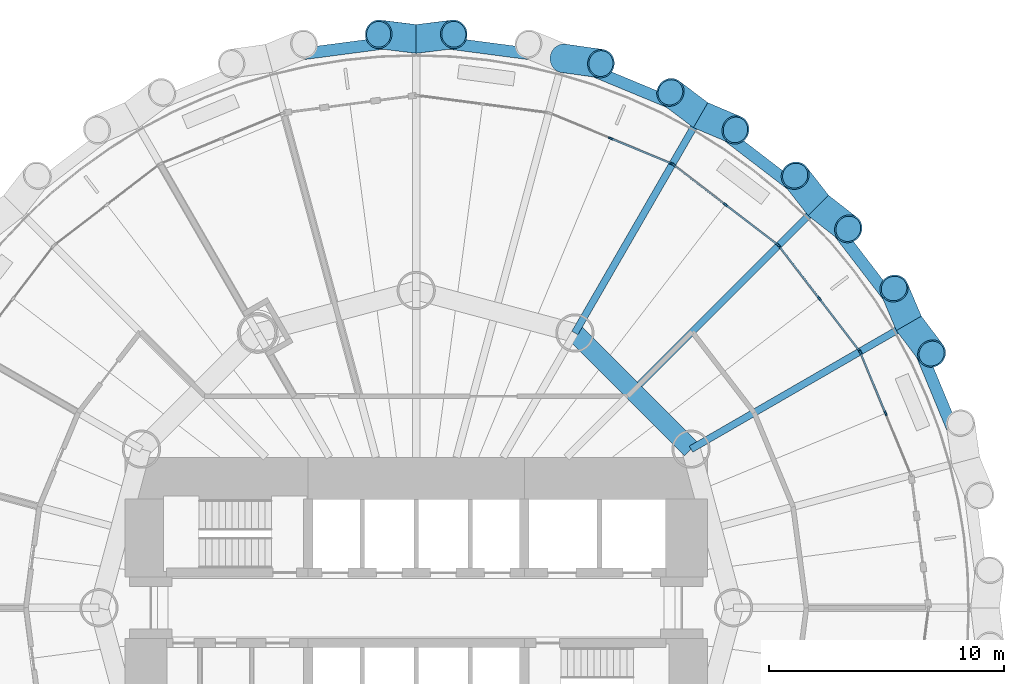
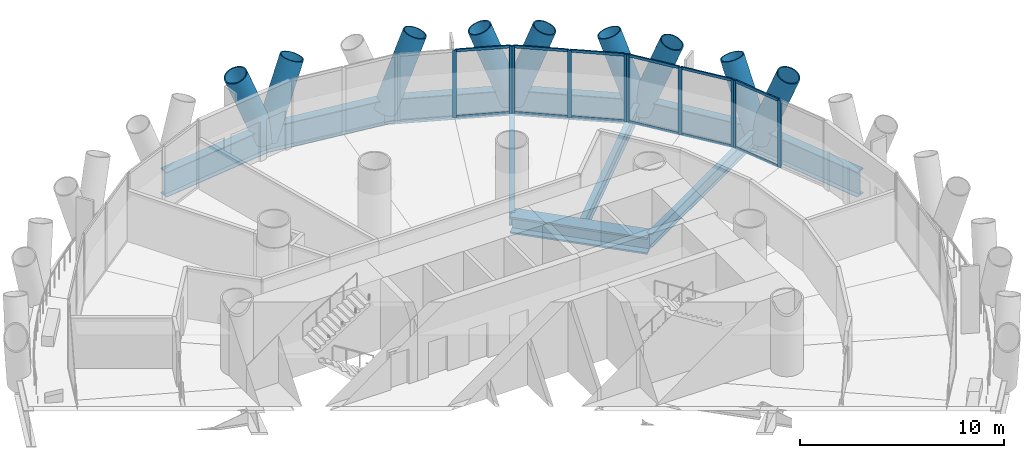
# One storey, part 7 of 16: 31 members, 10 beams, 4 elements without a shape of their own.
"""IFC4 building model written with IfcOpenShell, lengths in metres."""

from ifc_helpers import new_model, si_unit, direction, frame, origin, origin_2d, place, context, subcontext, project, spatial, rectangle, hollow_circle, i_section, extrude, material, material_profile, profile_set, type_object, element, aggregate, save


model = new_model("IFC4")

# Units and contexts
model_context = context("Model", 3, precision=1e-05, world=origin(), true_north=direction((0.0, 1.0)))
body_context = subcontext(model_context, "Body", "Model", "MODEL_VIEW")
ifc_project = project(units=[si_unit("LENGTHUNIT", "METRE"), si_unit("AREAUNIT", "SQUARE_METRE"), si_unit("VOLUMEUNIT", "CUBIC_METRE"), si_unit("PLANEANGLEUNIT", "RADIAN"), si_unit("MASSUNIT", "GRAM", prefix="KILO")], contexts=[model_context])

# Site, building, storey
site_placement = place(None, origin())
site = spatial("IfcSite", under=ifc_project, at=site_placement, CompositionType="ELEMENT")
building_placement = place(site_placement, origin())
building = spatial("IfcBuilding", under=site, at=building_placement, Name="Qaws Media Tower", CompositionType="ELEMENT")
storey_placement = place(building_placement, frame((0.0, 0.0, 42.800048828125)))
storey = spatial("IfcBuildingStorey", under=building, at=storey_placement, Name="L08", CompositionType="ELEMENT", Elevation=42.800048828125)

# Curtain wall, members
ifc_material_1 = material(Name="Aluminium and clear glass", Category="aluminium")
curtain_wall_type = type_object("IfcCurtainWallType", Name="Unitised curtain wall CW-A", PredefinedType="NOTDEFINED", material=ifc_material_1)
curtain_wall_1_placement = place(storey_placement, origin())
curtain_wall_1 = element("IfcCurtainWall", 1, at=curtain_wall_1_placement, inside=storey, type_object=curtain_wall_type, Name="CWA curtain wall L08-02", PredefinedType="NOTDEFINED")
ifc_material_2 = material(Name="Aluminium mullion", Category="aluminium")
ifc_material_profile_1 = material_profile(ifc_material_2, rectangle(XDim=0.080078125, YDim=0.199951171875, at=origin_2d()), Name="80x200")
ifc_profile_set_1 = profile_set([ifc_material_profile_1], Name="Aluminium mullion")
member_type_1 = type_object("IfcMemberType", Name="Curtain wall mullion 80x200", PredefinedType="MULLION", material=ifc_profile_set_1)
member_1_placement = place(storey_placement, frame((79.96826171875, 58.271240234375, 0.0), z_axis=(0.0, 0.0, 1.0), x_axis=(-0.923879550311, -0.382683389393, 0.0)))
member_1 = element("IfcMember", 2, at=member_1_placement, type_object=member_type_1, Name="CWA mullion 2", PredefinedType="MULLION", context=body_context, shape_type="SweptSolid", body=[
    extrude(rectangle(XDim=0.080078125, YDim=0.199951171875, at=origin_2d()), origin(), (0.0, 0.0, 1.0), 4.0400390625),
])
member_2_placement = place(storey_placement, frame((78.894775390625, 60.863037109375, 0.0), z_axis=(0.0, 0.0, 1.0), x_axis=(-0.923879550311, -0.382683389393, 0.0)))
member_2 = element("IfcMember", 3, at=member_2_placement, type_object=member_type_1, Name="CWA mullion 3", PredefinedType="MULLION", context=body_context, shape_type="SweptSolid", body=[
    extrude(rectangle(XDim=0.080078125, YDim=0.199951171875, at=origin_2d()), origin(), (0.0, 0.0, 1.0), 4.0400390625),
])

curtain_wall_2_placement = place(storey_placement, origin())
curtain_wall_2 = element("IfcCurtainWall", 4, at=curtain_wall_2_placement, inside=storey, type_object=curtain_wall_type, Name="CWA curtain wall L08-03", PredefinedType="NOTDEFINED")
member_3_placement = place(storey_placement, frame((78.85498046875, 60.931640625, 0.0), z_axis=(0.0, 0.0, 1.0), x_axis=(-0.793353349046, -0.608761417599, 0.0)))
member_3 = element("IfcMember", 5, at=member_3_placement, type_object=member_type_1, Name="CWA mullion 1", PredefinedType="MULLION", context=body_context, shape_type="SweptSolid", body=[
    extrude(rectangle(XDim=0.080078125, YDim=0.199951171875, at=origin_2d()), origin(), (0.0, 0.0, 1.0), 4.0400390625),
])
member_4_placement = place(storey_placement, frame((77.147216796875, 63.157470703125, 0.0), z_axis=(0.0, 0.0, 1.0), x_axis=(-0.793353349046, -0.608761417599, 0.0)))
member_4 = element("IfcMember", 6, at=member_4_placement, type_object=member_type_1, Name="CWA mullion 2", PredefinedType="MULLION", context=body_context, shape_type="SweptSolid", body=[
    extrude(rectangle(XDim=0.080078125, YDim=0.199951171875, at=origin_2d()), origin(), (0.0, 0.0, 1.0), 4.0400390625),
])
member_5_placement = place(storey_placement, frame((75.439208984375, 65.38330078125, 0.0), z_axis=(0.0, 0.0, 1.0), x_axis=(-0.793353349046, -0.608761417599, 0.0)))
member_5 = element("IfcMember", 7, at=member_5_placement, type_object=member_type_1, Name="CWA mullion 3", PredefinedType="MULLION", context=body_context, shape_type="SweptSolid", body=[
    extrude(rectangle(XDim=0.080078125, YDim=0.199951171875, at=origin_2d()), origin(), (0.0, 0.0, 1.0), 4.0400390625),
])

curtain_wall_3_placement = place(storey_placement, origin())
curtain_wall_3 = element("IfcCurtainWall", 8, at=curtain_wall_3_placement, inside=storey, type_object=curtain_wall_type, Name="CWA curtain wall L08-04", PredefinedType="NOTDEFINED")
member_6_placement = place(storey_placement, frame((75.38330078125, 65.439208984375, 0.0), z_axis=(0.0, 0.0, 1.0), x_axis=(-0.608761417599, -0.793353349046, 0.0)))
member_6 = element("IfcMember", 9, at=member_6_placement, type_object=member_type_1, Name="CWA mullion 1", PredefinedType="MULLION", context=body_context, shape_type="SweptSolid", body=[
    extrude(rectangle(XDim=0.080078125, YDim=0.199951171875, at=origin_2d()), origin(), (0.0, 0.0, 1.0), 4.0400390625),
])
member_7_placement = place(storey_placement, frame((73.157470703125, 67.147216796875, 0.0), z_axis=(0.0, 0.0, 1.0), x_axis=(-0.608761417599, -0.793353349046, 0.0)))
member_7 = element("IfcMember", 10, at=member_7_placement, type_object=member_type_1, Name="CWA mullion 2", PredefinedType="MULLION", context=body_context, shape_type="SweptSolid", body=[
    extrude(rectangle(XDim=0.080078125, YDim=0.199951171875, at=origin_2d()), origin(), (0.0, 0.0, 1.0), 4.0400390625),
])
member_8_placement = place(storey_placement, frame((70.931640625, 68.85498046875, 0.0), z_axis=(0.0, 0.0, 1.0), x_axis=(-0.608761417599, -0.793353349046, 0.0)))
member_8 = element("IfcMember", 11, at=member_8_placement, type_object=member_type_1, Name="CWA mullion 3", PredefinedType="MULLION", context=body_context, shape_type="SweptSolid", body=[
    extrude(rectangle(XDim=0.080078125, YDim=0.199951171875, at=origin_2d()), origin(), (0.0, 0.0, 1.0), 4.0400390625),
])

curtain_wall_4_placement = place(storey_placement, origin())
curtain_wall_4 = element("IfcCurtainWall", 12, at=curtain_wall_4_placement, inside=storey, type_object=curtain_wall_type, Name="CWA curtain wall L08-05", PredefinedType="NOTDEFINED")
member_9_placement = place(storey_placement, frame((70.863037109375, 68.894775390625, 0.0), z_axis=(0.0, 0.0, 1.0), x_axis=(-0.382683389393, -0.923879550311, 0.0)))
member_9 = element("IfcMember", 13, at=member_9_placement, type_object=member_type_1, Name="CWA mullion 1", PredefinedType="MULLION", context=body_context, shape_type="SweptSolid", body=[
    extrude(rectangle(XDim=0.080078125, YDim=0.199951171875, at=origin_2d()), origin(), (0.0, 0.0, 1.0), 4.0400390625),
])
member_10_placement = place(storey_placement, frame((68.271240234375, 69.96826171875, 0.0), z_axis=(0.0, 0.0, 1.0), x_axis=(-0.382683389393, -0.923879550311, 0.0)))
member_10 = element("IfcMember", 14, at=member_10_placement, type_object=member_type_1, Name="CWA mullion 2", PredefinedType="MULLION", context=body_context, shape_type="SweptSolid", body=[
    extrude(rectangle(XDim=0.080078125, YDim=0.199951171875, at=origin_2d()), origin(), (0.0, 0.0, 1.0), 4.0400390625),
])

# Member
ifc_material_3 = material(Name="Aluminium transom", Category="aluminium")
ifc_material_profile_2 = material_profile(ifc_material_3, rectangle(XDim=0.080078125, YDim=0.159912109375, at=origin_2d()), Name="80x160")
ifc_profile_set_2 = profile_set([ifc_material_profile_2], Name="Aluminium transom")
member_type_2 = type_object("IfcMemberType", Name="Curtain wall transom 80x160", PredefinedType="USERDEFINED", material=ifc_profile_set_2)
member_11_placement = place(storey_placement, frame((79.952880859375, 58.30810546875, 0.0400390625), z_axis=(-0.382668241498, 0.923885824628, 0.0), x_axis=(-0.923885824628, -0.382668241498, 0.0)))
member_11 = element("IfcMember", 15, at=member_11_placement, type_object=member_type_2, Name="CWA transom 2.1", ObjectType="TRANSOM", PredefinedType="USERDEFINED", context=body_context, shape_type="SweptSolid", body=[
    extrude(rectangle(XDim=0.080078125, YDim=0.159912109375, at=origin_2d()), origin(), (0.0, 0.0, 1.0), 2.7255859375),
])

member_12_placement = place(storey_placement, frame((79.952880859375, 58.30810546875, 4.0), z_axis=(-0.382668241498, 0.923885824628, 0.0), x_axis=(-0.923885824628, -0.382668241498, 0.0)))
member_12 = element("IfcMember", 16, at=member_12_placement, type_object=member_type_2, Name="CWA transom 2.2", ObjectType="TRANSOM", PredefinedType="USERDEFINED", context=body_context, shape_type="SweptSolid", body=[
    extrude(rectangle(XDim=0.080078125, YDim=0.159912109375, at=origin_2d()), origin(), (0.0, 0.0, 1.0), 2.7255859375),
])

aggregate(curtain_wall_1, [member_1, member_2, member_11, member_12])

member_13_placement = place(storey_placement, frame((78.83056640625, 60.96337890625, 0.0400390625), z_axis=(-0.608749299951, 0.793362647097, 0.0), x_axis=(-0.793362647097, -0.608749299951, 0.0)))
member_13 = element("IfcMember", 17, at=member_13_placement, type_object=member_type_2, Name="CWA transom 1.1", ObjectType="TRANSOM", PredefinedType="USERDEFINED", context=body_context, shape_type="SweptSolid", body=[
    extrude(rectangle(XDim=0.080078125, YDim=0.159912109375, at=origin_2d()), origin(), (0.0, 0.0, 1.0), 2.7255859375),
])

member_14_placement = place(storey_placement, frame((78.83056640625, 60.96337890625, 4.0), z_axis=(-0.608749299951, 0.793362647097, 0.0), x_axis=(-0.793362647097, -0.608749299951, 0.0)))
member_14 = element("IfcMember", 18, at=member_14_placement, type_object=member_type_2, Name="CWA transom 1.2", ObjectType="TRANSOM", PredefinedType="USERDEFINED", context=body_context, shape_type="SweptSolid", body=[
    extrude(rectangle(XDim=0.080078125, YDim=0.159912109375, at=origin_2d()), origin(), (0.0, 0.0, 1.0), 2.7255859375),
])

member_15_placement = place(storey_placement, frame((77.122802734375, 63.189208984375, 0.0400390625), z_axis=(-0.608749299951, 0.793362647097, 0.0), x_axis=(-0.793362647097, -0.608749299951, 0.0)))
member_15 = element("IfcMember", 19, at=member_15_placement, type_object=member_type_2, Name="CWA transom 2.1", ObjectType="TRANSOM", PredefinedType="USERDEFINED", context=body_context, shape_type="SweptSolid", body=[
    extrude(rectangle(XDim=0.080078125, YDim=0.159912109375, at=origin_2d()), origin(), (0.0, 0.0, 1.0), 2.7255859375),
])

member_16_placement = place(storey_placement, frame((77.122802734375, 63.189208984375, 4.0), z_axis=(-0.608749299951, 0.793362647097, 0.0), x_axis=(-0.793362647097, -0.608749299951, 0.0)))
member_16 = element("IfcMember", 20, at=member_16_placement, type_object=member_type_2, Name="CWA transom 2.2", ObjectType="TRANSOM", PredefinedType="USERDEFINED", context=body_context, shape_type="SweptSolid", body=[
    extrude(rectangle(XDim=0.080078125, YDim=0.159912109375, at=origin_2d()), origin(), (0.0, 0.0, 1.0), 2.7255859375),
])

aggregate(curtain_wall_2, [member_3, member_4, member_5, member_13, member_14, member_15, member_16])

member_17_placement = place(storey_placement, frame((75.3515625, 65.463623046875, 0.0400390625), z_axis=(-0.793362647097, 0.608749299951, 0.0), x_axis=(-0.608749299951, -0.793362647097, 0.0)))
member_17 = element("IfcMember", 21, at=member_17_placement, type_object=member_type_2, Name="CWA transom 1.1", ObjectType="TRANSOM", PredefinedType="USERDEFINED", context=body_context, shape_type="SweptSolid", body=[
    extrude(rectangle(XDim=0.080078125, YDim=0.159912109375, at=origin_2d()), origin(), (0.0, 0.0, 1.0), 2.7255859375),
])

member_18_placement = place(storey_placement, frame((75.3515625, 65.463623046875, 4.0), z_axis=(-0.793362647097, 0.608749299951, 0.0), x_axis=(-0.608749299951, -0.793362647097, 0.0)))
member_18 = element("IfcMember", 22, at=member_18_placement, type_object=member_type_2, Name="CWA transom 1.2", ObjectType="TRANSOM", PredefinedType="USERDEFINED", context=body_context, shape_type="SweptSolid", body=[
    extrude(rectangle(XDim=0.080078125, YDim=0.159912109375, at=origin_2d()), origin(), (0.0, 0.0, 1.0), 2.7255859375),
])

member_19_placement = place(storey_placement, frame((73.125732421875, 67.17138671875, 0.0400390625), z_axis=(-0.793362647097, 0.608749299951, 0.0), x_axis=(-0.608749299951, -0.793362647097, 0.0)))
member_19 = element("IfcMember", 23, at=member_19_placement, type_object=member_type_2, Name="CWA transom 2.1", ObjectType="TRANSOM", PredefinedType="USERDEFINED", context=body_context, shape_type="SweptSolid", body=[
    extrude(rectangle(XDim=0.080078125, YDim=0.159912109375, at=origin_2d()), origin(), (0.0, 0.0, 1.0), 2.7255859375),
])

member_20_placement = place(storey_placement, frame((73.125732421875, 67.17138671875, 4.0), z_axis=(-0.793362647097, 0.608749299951, 0.0), x_axis=(-0.608749299951, -0.793362647097, 0.0)))
member_20 = element("IfcMember", 24, at=member_20_placement, type_object=member_type_2, Name="CWA transom 2.2", ObjectType="TRANSOM", PredefinedType="USERDEFINED", context=body_context, shape_type="SweptSolid", body=[
    extrude(rectangle(XDim=0.080078125, YDim=0.159912109375, at=origin_2d()), origin(), (0.0, 0.0, 1.0), 2.7255859375),
])

aggregate(curtain_wall_3, [member_6, member_7, member_8, member_17, member_18, member_19, member_20])

member_21_placement = place(storey_placement, frame((70.826171875, 68.909912109375, 0.0400390625), z_axis=(-0.923885824628, 0.382668241498, 0.0), x_axis=(-0.382668241498, -0.923885824628, 0.0)))
member_21 = element("IfcMember", 25, at=member_21_placement, type_object=member_type_2, Name="CWA transom 1.1", ObjectType="TRANSOM", PredefinedType="USERDEFINED", context=body_context, shape_type="SweptSolid", body=[
    extrude(rectangle(XDim=0.080078125, YDim=0.159912109375, at=origin_2d()), origin(), (0.0, 0.0, 1.0), 2.7255859375),
])

member_22_placement = place(storey_placement, frame((70.826171875, 68.909912109375, 4.0), z_axis=(-0.923885824628, 0.382668241498, 0.0), x_axis=(-0.382668241498, -0.923885824628, 0.0)))
member_22 = element("IfcMember", 26, at=member_22_placement, type_object=member_type_2, Name="CWA transom 1.2", ObjectType="TRANSOM", PredefinedType="USERDEFINED", context=body_context, shape_type="SweptSolid", body=[
    extrude(rectangle(XDim=0.080078125, YDim=0.159912109375, at=origin_2d()), origin(), (0.0, 0.0, 1.0), 2.7255859375),
])

aggregate(curtain_wall_4, [member_9, member_10, member_21, member_22])

# Members
ifc_material_4 = material(Name="Steel S460", Category="steel")
ifc_material_profile_3 = material_profile(ifc_material_4, hollow_circle(Radius=0.609619140625, WallThickness=0.06005859375, at=origin_2d()), Name="CHS 1219x60")
ifc_profile_set_3 = profile_set([ifc_material_profile_3], Name="Steel S460")
member_type_3 = type_object("IfcMemberType", Name="Diagrid member CHS 1219x60", PredefinedType="USERDEFINED", material=ifc_profile_set_3)
member_23_placement = place(storey_placement, frame((80.957763671875, 62.10009765625, -0.91015625), z_axis=(-0.139690712906, 0.329798159412, 0.933659294805), x_axis=(-0.920806143432, -0.390020571531, 0.0)))
element("IfcMember", 27, at=member_23_placement, inside=storey, type_object=member_type_3, Name="DG1 diagrid L08 A03", ObjectType="DIAGRID", PredefinedType="USERDEFINED", context=body_context, shape_type="SweptSolid", body=[
    extrude(hollow_circle(Radius=0.609619140625, WallThickness=0.06005859375, at=origin_2d()), origin(), (0.0, 0.0, 1.0), 4.49853515625),
])
member_24_placement = place(storey_placement, frame((80.957763671875, 62.10009765625, -0.91015625), z_axis=(0.215775520253, -0.285891710436, 0.933652427172), x_axis=(0.79817815346, 0.602421476492, 0.0)))
element("IfcMember", 28, at=member_24_placement, inside=storey, type_object=member_type_3, Name="DG1 diagrid L08 B03", ObjectType="DIAGRID", PredefinedType="USERDEFINED", context=body_context, shape_type="SweptSolid", body=[
    extrude(hollow_circle(Radius=0.609619140625, WallThickness=0.06005859375, at=origin_2d()), origin(), (0.0, 0.0, 1.0), 4.498779296875),
])
for number, where, z_axis, x_axis, name in (
    (29, (77.112060546875, 67.112060546875, -0.91015625), (-0.220280959949, 0.282419836308, 0.933656968455), (-0.788511123576, -0.615020493965, 0.0), "DG1 diagrid L08 A04"),
    (30, (77.112060546875, 67.112060546875, -0.91015625), (0.282419836308, -0.220280959949, 0.933656968455), (0.615020493965, 0.788511123576, 0.0), "DG1 diagrid L08 B04"),
):
    element("IfcMember", number, at=place(storey_placement, frame(where, z_axis=z_axis, x_axis=x_axis)), inside=storey, type_object=member_type_3, Name=name, ObjectType="DIAGRID", PredefinedType="USERDEFINED", context=body_context, shape_type="SweptSolid", body=[
        extrude(hollow_circle(Radius=0.609619140625, WallThickness=0.06005859375, at=origin_2d()), origin(), (0.0, 0.0, 1.0), 4.49853515625),
    ])
member_25_placement = place(storey_placement, frame((72.10009765625, 70.957763671875, -0.91015625), z_axis=(-0.285891710436, 0.215775520253, 0.933652427172), x_axis=(-0.602421476492, -0.79817815346, 0.0)))
element("IfcMember", 31, at=member_25_placement, inside=storey, type_object=member_type_3, Name="DG1 diagrid L08 A05", ObjectType="DIAGRID", PredefinedType="USERDEFINED", context=body_context, shape_type="SweptSolid", body=[
    extrude(hollow_circle(Radius=0.609619140625, WallThickness=0.06005859375, at=origin_2d()), origin(), (0.0, 0.0, 1.0), 4.498779296875),
])
for number, where, z_axis, x_axis, name in (
    (32, (72.10009765625, 70.957763671875, -0.91015625), (0.329798159412, -0.139690712906, 0.933659294805), (0.390020571531, 0.920806143432, 0.0), "DG1 diagrid L08 B05"),
    (33, (66.263427734375, 73.37548828125, -0.91015625), (0.354708414218, -0.049602737239, 0.933660275122), (0.138493286786, 0.990363372463, 0.0), "DG1 diagrid L08 B06"),
):
    element("IfcMember", number, at=place(storey_placement, frame(where, z_axis=z_axis, x_axis=x_axis)), inside=storey, type_object=member_type_3, Name=name, ObjectType="DIAGRID", PredefinedType="USERDEFINED", context=body_context, shape_type="SweptSolid", body=[
        extrude(hollow_circle(Radius=0.609619140625, WallThickness=0.06005859375, at=origin_2d()), origin(), (0.0, 0.0, 1.0), 4.49853515625),
    ])
for number, where, z_axis, x_axis, name in (
    (34, (60.0, 74.199951171875, -0.91015625), (-0.35546614787, 0.043958409126, 0.933654901977), (-0.122729244976, -0.992440190857, 0.0), "DG1 diagrid L08 A07"),
    (35, (60.0, 74.199951171875, -0.91015625), (0.35546614787, 0.043958409126, 0.933654901977), (-0.122729244976, 0.992440190857, 0.0), "DG1 diagrid L08 B07"),
):
    element("IfcMember", number, at=place(storey_placement, frame(where, z_axis=z_axis, x_axis=x_axis)), inside=storey, type_object=member_type_3, Name=name, ObjectType="DIAGRID", PredefinedType="USERDEFINED", context=body_context, shape_type="SweptSolid", body=[
        extrude(hollow_circle(Radius=0.609619140625, WallThickness=0.06005859375, at=origin_2d()), origin(), (0.0, 0.0, 1.0), 4.498779296875),
    ])

# Beams
ifc_material_5 = material(Name="Steel S460", Category="steel")
ifc_material_profile_4 = material_profile(ifc_material_5, i_section(OverallWidth=0.5, OverallDepth=1.5, WebThickness=0.02001953125, FlangeThickness=0.0400390625, at=origin_2d()), Name="PG 1500x500")
ifc_profile_set_4 = profile_set([ifc_material_profile_4], Name="Steel S460")
beam_type_1 = type_object("IfcBeamType", Name="Edge ring beam PG 1500x500", PredefinedType="BEAM", material=ifc_profile_set_4)
beam_1_placement = place(storey_placement, frame((83.37548828125, 56.263427734375, -0.91015625), z_axis=(-0.382696506463, 0.923874116934, 0.0), x_axis=(-0.923874116934, -0.382696506463, 0.0)))
element("IfcBeam", 36, at=beam_1_placement, inside=storey, type_object=beam_type_1, Name="RB4 edge ring beam L08-02", PredefinedType="BEAM", context=body_context, shape_type="SweptSolid", body=[
    extrude(i_section(OverallWidth=0.5, OverallDepth=1.5, WebThickness=0.02001953125, FlangeThickness=0.0400390625, at=origin_2d()), origin(), (0.0, 0.0, 1.0), 6.317626953125),
])
for number, where, z_axis, x_axis, name in (
    (37, (80.957763671875, 62.10009765625, -0.91015625), (-0.608750343575, 0.793361846321, 0.0), (-0.793361846321, -0.608750343575, 0.0), "RB4 edge ring beam L08-03"),
    (38, (77.112060546875, 67.112060546875, -0.91015625), (-0.793361846321, 0.608750343575, 0.0), (-0.608750343575, -0.793361846321, 0.0), "RB4 edge ring beam L08-04"),
):
    element("IfcBeam", number, at=place(storey_placement, frame(where, z_axis=z_axis, x_axis=x_axis)), inside=storey, type_object=beam_type_1, Name=name, PredefinedType="BEAM", context=body_context, shape_type="SweptSolid", body=[
        extrude(i_section(OverallWidth=0.5, OverallDepth=1.5, WebThickness=0.02001953125, FlangeThickness=0.0400390625, at=origin_2d()), origin(), (0.0, 0.0, 1.0), 6.3173828125),
    ])
beam_2_placement = place(storey_placement, frame((72.10009765625, 70.957763671875, -0.91015625), z_axis=(-0.923874116934, 0.382696506463, 0.0), x_axis=(-0.382696506463, -0.923874116934, 0.0)))
element("IfcBeam", 39, at=beam_2_placement, inside=storey, type_object=beam_type_1, Name="RB4 edge ring beam L08-05", PredefinedType="BEAM", context=body_context, shape_type="SweptSolid", body=[
    extrude(i_section(OverallWidth=0.5, OverallDepth=1.5, WebThickness=0.02001953125, FlangeThickness=0.0400390625, at=origin_2d()), origin(), (0.0, 0.0, 1.0), 6.317626953125),
])
for number, where, z_axis, x_axis, name in (
    (40, (66.263427734375, 73.37548828125, -0.91015625), (-0.991447585875, 0.130505495907, 0.0), (-0.130505495907, -0.991447585875, 0.0), "RB4 edge ring beam L08-06"),
    (41, (60.0, 74.199951171875, -0.91015625), (-0.991447585875, -0.130505495907, 0.0), (0.130505495907, -0.991447585875, 0.0), "RB4 edge ring beam L08-07"),
):
    element("IfcBeam", number, at=place(storey_placement, frame(where, z_axis=z_axis, x_axis=x_axis)), inside=storey, type_object=beam_type_1, Name=name, PredefinedType="BEAM", context=body_context, shape_type="SweptSolid", body=[
        extrude(i_section(OverallWidth=0.5, OverallDepth=1.5, WebThickness=0.02001953125, FlangeThickness=0.0400390625, at=origin_2d()), origin(), (0.0, 0.0, 1.0), 6.3173828125),
    ])
ifc_material_6 = material(Name="Steel S460", Category="steel")
ifc_material_profile_5 = material_profile(ifc_material_6, i_section(OverallWidth=0.800048828125, OverallDepth=1.0, WebThickness=0.0400390625, FlangeThickness=0.10009765625, at=origin_2d()), Name="PG 1000x800")
ifc_profile_set_5 = profile_set([ifc_material_profile_5], Name="Steel S460")
beam_type_2 = type_object("IfcBeamType", Name="Inner ring girder PG 1000x800", PredefinedType="BEAM", material=ifc_profile_set_5)
beam_3_placement = place(storey_placement, frame((71.69140625, 56.75, -0.66015625), z_axis=(-0.707106781187, 0.707106781187, 0.0), x_axis=(-0.707106781187, -0.707106781187, 0.0)))
element("IfcBeam", 42, at=beam_3_placement, inside=storey, type_object=beam_type_2, Name="B3 inner ring beam L08 I02-I03", PredefinedType="BEAM", context=body_context, shape_type="SweptSolid", body=[
    extrude(i_section(OverallWidth=0.800048828125, OverallDepth=1.0, WebThickness=0.0400390625, FlangeThickness=0.10009765625, at=origin_2d()), origin(), (0.0, 0.0, 1.0), 6.98828125),
])
ifc_material_7 = material(Name="Steel S355", Category="steel")
ifc_material_profile_6 = material_profile(ifc_material_7, i_section(OverallWidth=0.300048828125, OverallDepth=0.800048828125, WebThickness=0.017578125, FlangeThickness=0.032958984375, FilletRadius=0.030029296875, at=origin_2d()), Name="HE 800 B")
ifc_profile_set_6 = profile_set([ifc_material_profile_6], Name="Steel S355")
beam_type_3 = type_object("IfcBeamType", Name="Radial beam HE 800 B", PredefinedType="BEAM", material=ifc_profile_set_6)
beam_4_placement = place(storey_placement, frame((71.69140625, 56.75, -0.56005859375), z_axis=(0.866018778813, 0.500011474612, 0.0), x_axis=(-0.500011474612, 0.866018778813, 0.0)))
element("IfcBeam", 43, at=beam_4_placement, inside=storey, type_object=beam_type_3, Name="B1 radial beam L08 03", PredefinedType="BEAM", context=body_context, shape_type="SweptSolid", body=[
    extrude(i_section(OverallWidth=0.300048828125, OverallDepth=0.800048828125, WebThickness=0.017578125, FlangeThickness=0.032958984375, FilletRadius=0.030029296875, at=origin_2d()), origin(), (0.0, 0.0, 1.0), 10.699951171875),
])
beam_5_placement = place(storey_placement, frame((69.50341796875, 59.50341796875, -0.56005859375), z_axis=(0.707106781187, 0.707106781187, 0.0), x_axis=(-0.707106781187, 0.707106781187, 0.0)))
element("IfcBeam", 44, at=beam_5_placement, inside=storey, type_object=beam_type_3, Name="B1 radial beam L08 04", PredefinedType="BEAM", context=body_context, shape_type="SweptSolid", body=[
    extrude(i_section(OverallWidth=0.300048828125, OverallDepth=0.800048828125, WebThickness=0.017578125, FlangeThickness=0.032958984375, FilletRadius=0.030029296875, at=origin_2d()), origin(), (0.0, 0.0, 1.0), 10.76025390625),
])
beam_6_placement = place(storey_placement, frame((66.75, 61.69140625, -0.56005859375), z_axis=(0.500011474612, 0.866018778813, 0.0), x_axis=(-0.866018778813, 0.500011474612, 0.0)))
element("IfcBeam", 45, at=beam_6_placement, inside=storey, type_object=beam_type_3, Name="B1 radial beam L08 05", PredefinedType="BEAM", context=body_context, shape_type="SweptSolid", body=[
    extrude(i_section(OverallWidth=0.300048828125, OverallDepth=0.800048828125, WebThickness=0.017578125, FlangeThickness=0.032958984375, FilletRadius=0.030029296875, at=origin_2d()), origin(), (0.0, 0.0, 1.0), 10.699951171875),
])

save(model, "model.ifc")
